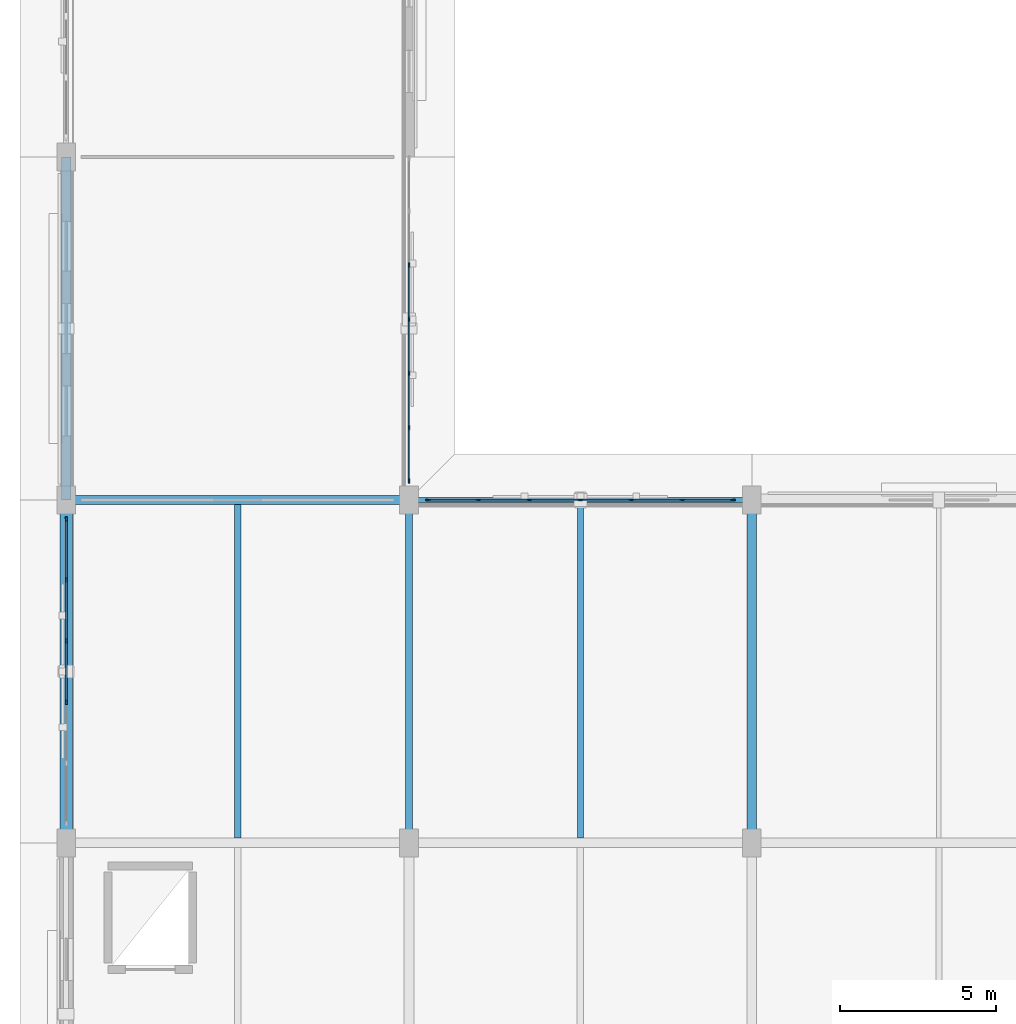
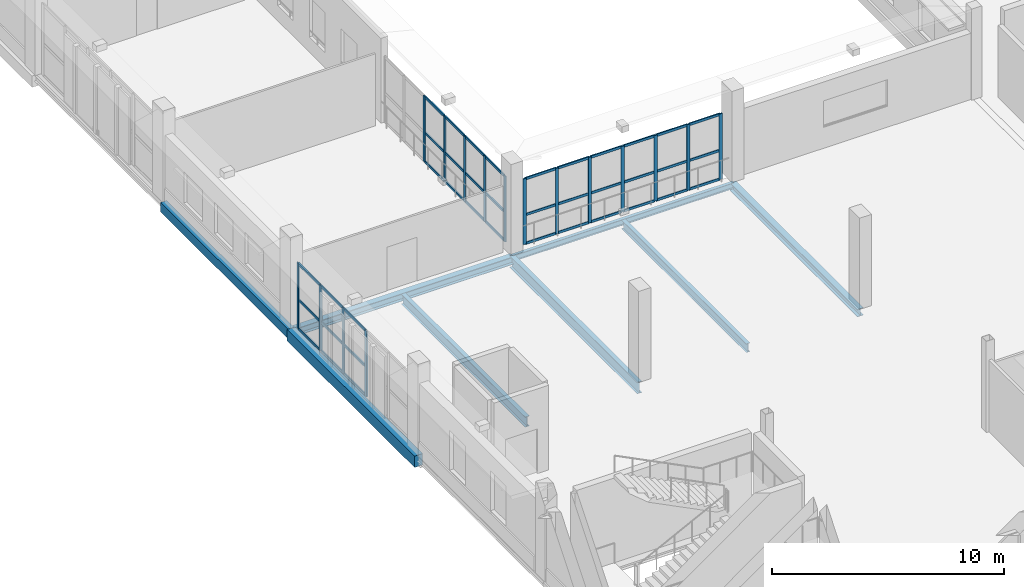
# One storey, part 28 of 143: 55 members, 8 beams, 3 elements without a shape of their own.
"""IFC4 building model written with IfcOpenShell, lengths in metres."""

from ifc_helpers import new_model, si_unit, direction, frame, origin, origin_2d, place, context, subcontext, project, spatial, rectangle, hollow_rectangle, i_section, extrude, material, material_profile, profile_set, type_object, element, aggregate, save


model = new_model("IFC4")

# Units and contexts
model_context = context("Model", 3, precision=1e-05, world=origin(), true_north=direction((0.0, 1.0)))
body_context = subcontext(model_context, "Body", "Model", "MODEL_VIEW")
ifc_project = project(units=[si_unit("LENGTHUNIT", "METRE"), si_unit("AREAUNIT", "SQUARE_METRE"), si_unit("VOLUMEUNIT", "CUBIC_METRE"), si_unit("PLANEANGLEUNIT", "RADIAN"), si_unit("MASSUNIT", "GRAM", prefix="KILO")], contexts=[model_context])

# Site, building, storey
site_placement = place(None, origin())
site = spatial("IfcSite", under=ifc_project, at=site_placement, CompositionType="ELEMENT")
building_placement = place(site_placement, origin())
building = spatial("IfcBuilding", under=site, at=building_placement, Name="Luwafu Chhajja Arena", CompositionType="ELEMENT")
storey_placement = place(building_placement, frame((0.0, 0.0, 5.39990234375)))
storey = spatial("IfcBuildingStorey", under=building, at=storey_placement, Name="L01", CompositionType="ELEMENT", Elevation=5.39990234375)

# Curtain wall, members
ifc_material_1 = material(Name="Anodised bronze aluminium", Category="aluminium")
curtain_wall_type_1 = type_object("IfcCurtainWallType", Name="Bowl Concourse Chord Curtain Wall", PredefinedType="USERDEFINED", material=ifc_material_1)
curtain_wall_1_placement = place(storey_placement, origin())
curtain_wall_1 = element("IfcCurtainWall", 1, at=curtain_wall_1_placement, inside=storey, type_object=curtain_wall_type_1, Name="L01 Curtain Wall CWG-L01-V00_04", ObjectType="CURTAIN WALL", PredefinedType="USERDEFINED")
ifc_material_profile_1 = material_profile(ifc_material_1, rectangle(XDim=0.06005859375, YDim=0.159912109375, at=origin_2d()), Name="CWM 60x160")
ifc_profile_set_1 = profile_set([ifc_material_profile_1], Name="Anodised bronze aluminium")
member_type_1 = type_object("IfcMemberType", Name="Bronze Curtain Wall Mullion 60x160", PredefinedType="MULLION", material=ifc_profile_set_1)
member_1_placement = place(storey_placement, frame((0.0, 48.51806640625, 0.030029296875), z_axis=(0.0, 0.0, 1.0), x_axis=(-1.0, 0.0, 0.0)))
member_1 = element("IfcMember", 2, at=member_1_placement, type_object=member_type_1, Name="CW-01 mullion 3", PredefinedType="MULLION", context=body_context, shape_type="SweptSolid", body=[
    extrude(rectangle(XDim=0.06005859375, YDim=0.159912109375, at=origin_2d()), origin(), (0.0, 0.0, 1.0), 3.4599609375),
])
member_2_placement = place(storey_placement, frame((0.0, 50.48193359375, 0.030029296875), z_axis=(0.0, 0.0, 1.0), x_axis=(-1.0, 0.0, 0.0)))
member_2 = element("IfcMember", 3, at=member_2_placement, type_object=member_type_1, Name="CW-01 mullion 4", PredefinedType="MULLION", context=body_context, shape_type="SweptSolid", body=[
    extrude(rectangle(XDim=0.06005859375, YDim=0.159912109375, at=origin_2d()), origin(), (0.0, 0.0, 1.0), 3.4599609375),
])
member_3_placement = place(storey_placement, frame((0.0, 52.446044921875, 0.030029296875), z_axis=(0.0, 0.0, 1.0), x_axis=(-1.0, 0.0, 0.0)))
member_3 = element("IfcMember", 4, at=member_3_placement, type_object=member_type_1, Name="CW-01 mullion 5", PredefinedType="MULLION", context=body_context, shape_type="SweptSolid", body=[
    extrude(rectangle(XDim=0.06005859375, YDim=0.159912109375, at=origin_2d()), origin(), (0.0, 0.0, 1.0), 3.4599609375),
])
member_4_placement = place(storey_placement, frame((0.0, 54.3798828125, 0.030029296875), z_axis=(0.0, 0.0, 1.0), x_axis=(-1.0, 0.0, 0.0)))
member_4 = element("IfcMember", 5, at=member_4_placement, type_object=member_type_1, Name="CW-01 mullion 6", PredefinedType="MULLION", context=body_context, shape_type="SweptSolid", body=[
    extrude(rectangle(XDim=0.06005859375, YDim=0.159912109375, at=origin_2d()), origin(), (0.0, 0.0, 1.0), 3.4599609375),
])

curtain_wall_type_2 = type_object("IfcCurtainWallType", Name="Charbagh Cloister Curtain Wall", PredefinedType="USERDEFINED", material=ifc_material_1)
curtain_wall_2_placement = place(storey_placement, origin())
curtain_wall_2 = element("IfcCurtainWall", 6, at=curtain_wall_2_placement, inside=storey, type_object=curtain_wall_type_2, Name="L01 Curtain Wall CWG-L01-V01_05", ObjectType="CURTAIN WALL", PredefinedType="USERDEFINED")
member_5_placement = place(storey_placement, frame((11.0, 55.6201171875, 0.030029296875), z_axis=(0.0, 0.0, 1.0), x_axis=(-1.0, 0.0, 0.0)))
member_5 = element("IfcMember", 7, at=member_5_placement, type_object=member_type_1, Name="CW-06 mullion 1", PredefinedType="MULLION", context=body_context, shape_type="SweptSolid", body=[
    extrude(rectangle(XDim=0.06005859375, YDim=0.159912109375, at=origin_2d()), origin(), (0.0, 0.0, 1.0), 3.4599609375),
])
member_6_placement = place(storey_placement, frame((11.0, 57.324951171875, 0.030029296875), z_axis=(0.0, 0.0, 1.0), x_axis=(-1.0, 0.0, 0.0)))
member_6 = element("IfcMember", 8, at=member_6_placement, type_object=member_type_1, Name="CW-06 mullion 2", PredefinedType="MULLION", context=body_context, shape_type="SweptSolid", body=[
    extrude(rectangle(XDim=0.06005859375, YDim=0.159912109375, at=origin_2d()), origin(), (0.0, 0.0, 1.0), 3.4599609375),
])
member_7_placement = place(storey_placement, frame((11.0, 59.06005859375, 0.030029296875), z_axis=(0.0, 0.0, 1.0), x_axis=(-1.0, 0.0, 0.0)))
member_7 = element("IfcMember", 9, at=member_7_placement, type_object=member_type_1, Name="CW-06 mullion 3", PredefinedType="MULLION", context=body_context, shape_type="SweptSolid", body=[
    extrude(rectangle(XDim=0.06005859375, YDim=0.159912109375, at=origin_2d()), origin(), (0.0, 0.0, 1.0), 3.4599609375),
])
member_8_placement = place(storey_placement, frame((11.0, 60.794921875, 0.030029296875), z_axis=(0.0, 0.0, 1.0), x_axis=(-1.0, 0.0, 0.0)))
member_8 = element("IfcMember", 10, at=member_8_placement, type_object=member_type_1, Name="CW-06 mullion 4", PredefinedType="MULLION", context=body_context, shape_type="SweptSolid", body=[
    extrude(rectangle(XDim=0.06005859375, YDim=0.159912109375, at=origin_2d()), origin(), (0.0, 0.0, 1.0), 3.4599609375),
])
member_9_placement = place(storey_placement, frame((11.0, 62.530029296875, 0.030029296875), z_axis=(0.0, 0.0, 1.0), x_axis=(-1.0, 0.0, 0.0)))
member_9 = element("IfcMember", 11, at=member_9_placement, type_object=member_type_1, Name="CW-06 mullion 5", PredefinedType="MULLION", context=body_context, shape_type="SweptSolid", body=[
    extrude(rectangle(XDim=0.06005859375, YDim=0.159912109375, at=origin_2d()), origin(), (0.0, 0.0, 1.0), 3.4599609375),
])

curtain_wall_3_placement = place(storey_placement, origin())
curtain_wall_3 = element("IfcCurtainWall", 12, at=curtain_wall_3_placement, inside=storey, type_object=curtain_wall_type_2, Name="L01 Curtain Wall CWG-L01-H01_05", ObjectType="CURTAIN WALL", PredefinedType="USERDEFINED")
member_10_placement = place(storey_placement, frame((11.6201171875, 55.0, 0.030029296875), z_axis=(0.0, 0.0, 1.0), x_axis=(0.0, 1.0, 0.0)))
member_10 = element("IfcMember", 13, at=member_10_placement, type_object=member_type_1, Name="CW-06 mullion 1", PredefinedType="MULLION", context=body_context, shape_type="SweptSolid", body=[
    extrude(rectangle(XDim=0.06005859375, YDim=0.159912109375, at=origin_2d()), origin(), (0.0, 0.0, 1.0), 3.4599609375),
])
member_11_placement = place(storey_placement, frame((13.2265625, 55.0, 0.030029296875), z_axis=(0.0, 0.0, 1.0), x_axis=(0.0, 1.0, 0.0)))
member_11 = element("IfcMember", 14, at=member_11_placement, type_object=member_type_1, Name="CW-06 mullion 2", PredefinedType="MULLION", context=body_context, shape_type="SweptSolid", body=[
    extrude(rectangle(XDim=0.06005859375, YDim=0.159912109375, at=origin_2d()), origin(), (0.0, 0.0, 1.0), 3.4599609375),
])
member_12_placement = place(storey_placement, frame((14.86328125, 55.0, 0.030029296875), z_axis=(0.0, 0.0, 1.0), x_axis=(0.0, 1.0, 0.0)))
member_12 = element("IfcMember", 15, at=member_12_placement, type_object=member_type_1, Name="CW-06 mullion 3", PredefinedType="MULLION", context=body_context, shape_type="SweptSolid", body=[
    extrude(rectangle(XDim=0.06005859375, YDim=0.159912109375, at=origin_2d()), origin(), (0.0, 0.0, 1.0), 3.4599609375),
])
member_13_placement = place(storey_placement, frame((16.5, 55.0, 0.030029296875), z_axis=(0.0, 0.0, 1.0), x_axis=(0.0, 1.0, 0.0)))
member_13 = element("IfcMember", 16, at=member_13_placement, type_object=member_type_1, Name="CW-06 mullion 4", PredefinedType="MULLION", context=body_context, shape_type="SweptSolid", body=[
    extrude(rectangle(XDim=0.06005859375, YDim=0.159912109375, at=origin_2d()), origin(), (0.0, 0.0, 1.0), 3.4599609375),
])
member_14_placement = place(storey_placement, frame((18.13671875, 55.0, 0.030029296875), z_axis=(0.0, 0.0, 1.0), x_axis=(0.0, 1.0, 0.0)))
member_14 = element("IfcMember", 17, at=member_14_placement, type_object=member_type_1, Name="CW-06 mullion 5", PredefinedType="MULLION", context=body_context, shape_type="SweptSolid", body=[
    extrude(rectangle(XDim=0.06005859375, YDim=0.159912109375, at=origin_2d()), origin(), (0.0, 0.0, 1.0), 3.4599609375),
])
member_15_placement = place(storey_placement, frame((19.7734375, 55.0, 0.030029296875), z_axis=(0.0, 0.0, 1.0), x_axis=(0.0, 1.0, 0.0)))
member_15 = element("IfcMember", 18, at=member_15_placement, type_object=member_type_1, Name="CW-06 mullion 6", PredefinedType="MULLION", context=body_context, shape_type="SweptSolid", body=[
    extrude(rectangle(XDim=0.06005859375, YDim=0.159912109375, at=origin_2d()), origin(), (0.0, 0.0, 1.0), 3.4599609375),
])
member_16_placement = place(storey_placement, frame((21.3798828125, 55.0, 0.030029296875), z_axis=(0.0, 0.0, 1.0), x_axis=(0.0, 1.0, 0.0)))
member_16 = element("IfcMember", 19, at=member_16_placement, type_object=member_type_1, Name="CW-06 mullion 7", PredefinedType="MULLION", context=body_context, shape_type="SweptSolid", body=[
    extrude(rectangle(XDim=0.06005859375, YDim=0.159912109375, at=origin_2d()), origin(), (0.0, 0.0, 1.0), 3.4599609375),
])

# Member
ifc_material_profile_2 = material_profile(ifc_material_1, rectangle(XDim=0.06005859375, YDim=0.1298828125, at=origin_2d()), Name="CWT 60x130")
ifc_profile_set_2 = profile_set([ifc_material_profile_2], Name="Anodised bronze aluminium")
member_type_2 = type_object("IfcMemberType", Name="Bronze Curtain Wall Transom 60x130", PredefinedType="USERDEFINED", material=ifc_profile_set_2)
member_17_placement = place(storey_placement, frame((0.0, 48.548095703125, 0.06005859375), z_axis=(0.0, 1.0, 0.0), x_axis=(-1.0, 0.0, 0.0)))
member_17 = element("IfcMember", 20, at=member_17_placement, type_object=member_type_2, Name="CW-01 transom 3.1", ObjectType="TRANSOM", PredefinedType="USERDEFINED", context=body_context, shape_type="SweptSolid", body=[
    extrude(rectangle(XDim=0.06005859375, YDim=0.1298828125, at=origin_2d()), origin(), (0.0, 0.0, 1.0), 1.90380859375),
])

member_18_placement = place(storey_placement, frame((0.0, 48.548095703125, 1.570556640625), z_axis=(0.0, 1.0, 0.0), x_axis=(-1.0, 0.0, 0.0)))
member_18 = element("IfcMember", 21, at=member_18_placement, type_object=member_type_2, Name="CW-01 transom 3.2", ObjectType="TRANSOM", PredefinedType="USERDEFINED", context=body_context, shape_type="SweptSolid", body=[
    extrude(rectangle(XDim=0.06005859375, YDim=0.1298828125, at=origin_2d()), origin(), (0.0, 0.0, 1.0), 1.90380859375),
])

member_19_placement = place(storey_placement, frame((0.0, 48.548095703125, 3.460205078125), z_axis=(0.0, 1.0, 0.0), x_axis=(-1.0, 0.0, 0.0)))
member_19 = element("IfcMember", 22, at=member_19_placement, type_object=member_type_2, Name="CW-01 transom 3.3", ObjectType="TRANSOM", PredefinedType="USERDEFINED", context=body_context, shape_type="SweptSolid", body=[
    extrude(rectangle(XDim=0.06005859375, YDim=0.1298828125, at=origin_2d()), origin(), (0.0, 0.0, 1.0), 1.90380859375),
])

member_20_placement = place(storey_placement, frame((0.0, 50.511962890625, 0.06005859375), z_axis=(0.0, 1.0, 0.0), x_axis=(-1.0, 0.0, 0.0)))
member_20 = element("IfcMember", 23, at=member_20_placement, type_object=member_type_2, Name="CW-01 transom 4.1", ObjectType="TRANSOM", PredefinedType="USERDEFINED", context=body_context, shape_type="SweptSolid", body=[
    extrude(rectangle(XDim=0.06005859375, YDim=0.1298828125, at=origin_2d()), origin(), (0.0, 0.0, 1.0), 1.904052734375),
])

member_21_placement = place(storey_placement, frame((0.0, 50.511962890625, 1.570556640625), z_axis=(0.0, 1.0, 0.0), x_axis=(-1.0, 0.0, 0.0)))
member_21 = element("IfcMember", 24, at=member_21_placement, type_object=member_type_2, Name="CW-01 transom 4.2", ObjectType="TRANSOM", PredefinedType="USERDEFINED", context=body_context, shape_type="SweptSolid", body=[
    extrude(rectangle(XDim=0.06005859375, YDim=0.1298828125, at=origin_2d()), origin(), (0.0, 0.0, 1.0), 1.904052734375),
])

member_22_placement = place(storey_placement, frame((0.0, 50.511962890625, 3.460205078125), z_axis=(0.0, 1.0, 0.0), x_axis=(-1.0, 0.0, 0.0)))
member_22 = element("IfcMember", 25, at=member_22_placement, type_object=member_type_2, Name="CW-01 transom 4.3", ObjectType="TRANSOM", PredefinedType="USERDEFINED", context=body_context, shape_type="SweptSolid", body=[
    extrude(rectangle(XDim=0.06005859375, YDim=0.1298828125, at=origin_2d()), origin(), (0.0, 0.0, 1.0), 1.904052734375),
])

member_23_placement = place(storey_placement, frame((0.0, 52.47607421875, 0.06005859375), z_axis=(0.0, 1.0, 0.0), x_axis=(-1.0, 0.0, 0.0)))
member_23 = element("IfcMember", 26, at=member_23_placement, type_object=member_type_2, Name="CW-01 transom 5.1", ObjectType="TRANSOM", PredefinedType="USERDEFINED", context=body_context, shape_type="SweptSolid", body=[
    extrude(rectangle(XDim=0.06005859375, YDim=0.1298828125, at=origin_2d()), origin(), (0.0, 0.0, 1.0), 1.8740234375),
])

member_24_placement = place(storey_placement, frame((0.0, 52.47607421875, 1.570556640625), z_axis=(0.0, 1.0, 0.0), x_axis=(-1.0, 0.0, 0.0)))
member_24 = element("IfcMember", 27, at=member_24_placement, type_object=member_type_2, Name="CW-01 transom 5.2", ObjectType="TRANSOM", PredefinedType="USERDEFINED", context=body_context, shape_type="SweptSolid", body=[
    extrude(rectangle(XDim=0.06005859375, YDim=0.1298828125, at=origin_2d()), origin(), (0.0, 0.0, 1.0), 1.8740234375),
])

member_25_placement = place(storey_placement, frame((0.0, 52.47607421875, 3.460205078125), z_axis=(0.0, 1.0, 0.0), x_axis=(-1.0, 0.0, 0.0)))
member_25 = element("IfcMember", 28, at=member_25_placement, type_object=member_type_2, Name="CW-01 transom 5.3", ObjectType="TRANSOM", PredefinedType="USERDEFINED", context=body_context, shape_type="SweptSolid", body=[
    extrude(rectangle(XDim=0.06005859375, YDim=0.1298828125, at=origin_2d()), origin(), (0.0, 0.0, 1.0), 1.8740234375),
])

aggregate(curtain_wall_1, [member_1, member_2, member_3, member_4, member_17, member_18, member_19, member_20, member_21, member_22, member_23, member_24, member_25])

member_26_placement = place(storey_placement, frame((11.0, 55.64990234375, 0.06005859375), z_axis=(0.0, 1.0, 0.0), x_axis=(-1.0, 0.0, 0.0)))
member_26 = element("IfcMember", 29, at=member_26_placement, type_object=member_type_2, Name="CW-06 transom 1.1", ObjectType="TRANSOM", PredefinedType="USERDEFINED", context=body_context, shape_type="SweptSolid", body=[
    extrude(rectangle(XDim=0.06005859375, YDim=0.1298828125, at=origin_2d()), origin(), (0.0, 0.0, 1.0), 1.64501953125),
])

member_27_placement = place(storey_placement, frame((11.0, 55.64990234375, 1.570556640625), z_axis=(0.0, 1.0, 0.0), x_axis=(-1.0, 0.0, 0.0)))
member_27 = element("IfcMember", 30, at=member_27_placement, type_object=member_type_2, Name="CW-06 transom 1.2", ObjectType="TRANSOM", PredefinedType="USERDEFINED", context=body_context, shape_type="SweptSolid", body=[
    extrude(rectangle(XDim=0.06005859375, YDim=0.1298828125, at=origin_2d()), origin(), (0.0, 0.0, 1.0), 1.64501953125),
])

member_28_placement = place(storey_placement, frame((11.0, 55.64990234375, 3.460205078125), z_axis=(0.0, 1.0, 0.0), x_axis=(-1.0, 0.0, 0.0)))
member_28 = element("IfcMember", 31, at=member_28_placement, type_object=member_type_2, Name="CW-06 transom 1.3", ObjectType="TRANSOM", PredefinedType="USERDEFINED", context=body_context, shape_type="SweptSolid", body=[
    extrude(rectangle(XDim=0.06005859375, YDim=0.1298828125, at=origin_2d()), origin(), (0.0, 0.0, 1.0), 1.64501953125),
])

member_29_placement = place(storey_placement, frame((11.0, 57.35498046875, 0.06005859375), z_axis=(0.0, 1.0, 0.0), x_axis=(-1.0, 0.0, 0.0)))
member_29 = element("IfcMember", 32, at=member_29_placement, type_object=member_type_2, Name="CW-06 transom 2.1", ObjectType="TRANSOM", PredefinedType="USERDEFINED", context=body_context, shape_type="SweptSolid", body=[
    extrude(rectangle(XDim=0.06005859375, YDim=0.1298828125, at=origin_2d()), origin(), (0.0, 0.0, 1.0), 1.675048828125),
])

member_30_placement = place(storey_placement, frame((11.0, 57.35498046875, 1.570556640625), z_axis=(0.0, 1.0, 0.0), x_axis=(-1.0, 0.0, 0.0)))
member_30 = element("IfcMember", 33, at=member_30_placement, type_object=member_type_2, Name="CW-06 transom 2.2", ObjectType="TRANSOM", PredefinedType="USERDEFINED", context=body_context, shape_type="SweptSolid", body=[
    extrude(rectangle(XDim=0.06005859375, YDim=0.1298828125, at=origin_2d()), origin(), (0.0, 0.0, 1.0), 1.675048828125),
])

member_31_placement = place(storey_placement, frame((11.0, 57.35498046875, 3.460205078125), z_axis=(0.0, 1.0, 0.0), x_axis=(-1.0, 0.0, 0.0)))
member_31 = element("IfcMember", 34, at=member_31_placement, type_object=member_type_2, Name="CW-06 transom 2.3", ObjectType="TRANSOM", PredefinedType="USERDEFINED", context=body_context, shape_type="SweptSolid", body=[
    extrude(rectangle(XDim=0.06005859375, YDim=0.1298828125, at=origin_2d()), origin(), (0.0, 0.0, 1.0), 1.675048828125),
])

member_32_placement = place(storey_placement, frame((11.0, 59.090087890625, 0.06005859375), z_axis=(0.0, 1.0, 0.0), x_axis=(-1.0, 0.0, 0.0)))
member_32 = element("IfcMember", 35, at=member_32_placement, type_object=member_type_2, Name="CW-06 transom 3.1", ObjectType="TRANSOM", PredefinedType="USERDEFINED", context=body_context, shape_type="SweptSolid", body=[
    extrude(rectangle(XDim=0.06005859375, YDim=0.1298828125, at=origin_2d()), origin(), (0.0, 0.0, 1.0), 1.6748046875),
])

member_33_placement = place(storey_placement, frame((11.0, 59.090087890625, 1.570556640625), z_axis=(0.0, 1.0, 0.0), x_axis=(-1.0, 0.0, 0.0)))
member_33 = element("IfcMember", 36, at=member_33_placement, type_object=member_type_2, Name="CW-06 transom 3.2", ObjectType="TRANSOM", PredefinedType="USERDEFINED", context=body_context, shape_type="SweptSolid", body=[
    extrude(rectangle(XDim=0.06005859375, YDim=0.1298828125, at=origin_2d()), origin(), (0.0, 0.0, 1.0), 1.6748046875),
])

member_34_placement = place(storey_placement, frame((11.0, 59.090087890625, 3.460205078125), z_axis=(0.0, 1.0, 0.0), x_axis=(-1.0, 0.0, 0.0)))
member_34 = element("IfcMember", 37, at=member_34_placement, type_object=member_type_2, Name="CW-06 transom 3.3", ObjectType="TRANSOM", PredefinedType="USERDEFINED", context=body_context, shape_type="SweptSolid", body=[
    extrude(rectangle(XDim=0.06005859375, YDim=0.1298828125, at=origin_2d()), origin(), (0.0, 0.0, 1.0), 1.6748046875),
])

member_35_placement = place(storey_placement, frame((11.0, 60.824951171875, 0.06005859375), z_axis=(0.0, 1.0, 0.0), x_axis=(-1.0, 0.0, 0.0)))
member_35 = element("IfcMember", 38, at=member_35_placement, type_object=member_type_2, Name="CW-06 transom 4.1", ObjectType="TRANSOM", PredefinedType="USERDEFINED", context=body_context, shape_type="SweptSolid", body=[
    extrude(rectangle(XDim=0.06005859375, YDim=0.1298828125, at=origin_2d()), origin(), (0.0, 0.0, 1.0), 1.675048828125),
])

member_36_placement = place(storey_placement, frame((11.0, 60.824951171875, 1.570556640625), z_axis=(0.0, 1.0, 0.0), x_axis=(-1.0, 0.0, 0.0)))
member_36 = element("IfcMember", 39, at=member_36_placement, type_object=member_type_2, Name="CW-06 transom 4.2", ObjectType="TRANSOM", PredefinedType="USERDEFINED", context=body_context, shape_type="SweptSolid", body=[
    extrude(rectangle(XDim=0.06005859375, YDim=0.1298828125, at=origin_2d()), origin(), (0.0, 0.0, 1.0), 1.675048828125),
])

member_37_placement = place(storey_placement, frame((11.0, 60.824951171875, 3.460205078125), z_axis=(0.0, 1.0, 0.0), x_axis=(-1.0, 0.0, 0.0)))
member_37 = element("IfcMember", 40, at=member_37_placement, type_object=member_type_2, Name="CW-06 transom 4.3", ObjectType="TRANSOM", PredefinedType="USERDEFINED", context=body_context, shape_type="SweptSolid", body=[
    extrude(rectangle(XDim=0.06005859375, YDim=0.1298828125, at=origin_2d()), origin(), (0.0, 0.0, 1.0), 1.675048828125),
])

aggregate(curtain_wall_2, [member_5, member_6, member_7, member_8, member_9, member_26, member_27, member_28, member_29, member_30, member_31, member_32, member_33, member_34, member_35, member_36, member_37])

member_38_placement = place(storey_placement, frame((11.64990234375, 55.0, 0.06005859375), z_axis=(1.0, 0.0, 0.0), x_axis=(0.0, 1.0, 0.0)))
member_38 = element("IfcMember", 41, at=member_38_placement, type_object=member_type_2, Name="CW-06 transom 1.1", ObjectType="TRANSOM", PredefinedType="USERDEFINED", context=body_context, shape_type="SweptSolid", body=[
    extrude(rectangle(XDim=0.06005859375, YDim=0.1298828125, at=origin_2d()), origin(), (0.0, 0.0, 1.0), 1.546875),
])

member_39_placement = place(storey_placement, frame((11.64990234375, 55.0, 1.570556640625), z_axis=(1.0, 0.0, 0.0), x_axis=(0.0, 1.0, 0.0)))
member_39 = element("IfcMember", 42, at=member_39_placement, type_object=member_type_2, Name="CW-06 transom 1.2", ObjectType="TRANSOM", PredefinedType="USERDEFINED", context=body_context, shape_type="SweptSolid", body=[
    extrude(rectangle(XDim=0.06005859375, YDim=0.1298828125, at=origin_2d()), origin(), (0.0, 0.0, 1.0), 1.546875),
])

member_40_placement = place(storey_placement, frame((11.64990234375, 55.0, 3.460205078125), z_axis=(1.0, 0.0, 0.0), x_axis=(0.0, 1.0, 0.0)))
member_40 = element("IfcMember", 43, at=member_40_placement, type_object=member_type_2, Name="CW-06 transom 1.3", ObjectType="TRANSOM", PredefinedType="USERDEFINED", context=body_context, shape_type="SweptSolid", body=[
    extrude(rectangle(XDim=0.06005859375, YDim=0.1298828125, at=origin_2d()), origin(), (0.0, 0.0, 1.0), 1.546875),
])

member_41_placement = place(storey_placement, frame((13.256591796875, 55.0, 0.06005859375), z_axis=(1.0, 0.0, 0.0), x_axis=(0.0, 1.0, 0.0)))
member_41 = element("IfcMember", 44, at=member_41_placement, type_object=member_type_2, Name="CW-06 transom 2.1", ObjectType="TRANSOM", PredefinedType="USERDEFINED", context=body_context, shape_type="SweptSolid", body=[
    extrude(rectangle(XDim=0.06005859375, YDim=0.1298828125, at=origin_2d()), origin(), (0.0, 0.0, 1.0), 1.57666015625),
])

member_42_placement = place(storey_placement, frame((13.256591796875, 55.0, 1.570556640625), z_axis=(1.0, 0.0, 0.0), x_axis=(0.0, 1.0, 0.0)))
member_42 = element("IfcMember", 45, at=member_42_placement, type_object=member_type_2, Name="CW-06 transom 2.2", ObjectType="TRANSOM", PredefinedType="USERDEFINED", context=body_context, shape_type="SweptSolid", body=[
    extrude(rectangle(XDim=0.06005859375, YDim=0.1298828125, at=origin_2d()), origin(), (0.0, 0.0, 1.0), 1.57666015625),
])

member_43_placement = place(storey_placement, frame((13.256591796875, 55.0, 3.460205078125), z_axis=(1.0, 0.0, 0.0), x_axis=(0.0, 1.0, 0.0)))
member_43 = element("IfcMember", 46, at=member_43_placement, type_object=member_type_2, Name="CW-06 transom 2.3", ObjectType="TRANSOM", PredefinedType="USERDEFINED", context=body_context, shape_type="SweptSolid", body=[
    extrude(rectangle(XDim=0.06005859375, YDim=0.1298828125, at=origin_2d()), origin(), (0.0, 0.0, 1.0), 1.57666015625),
])

member_44_placement = place(storey_placement, frame((14.893310546875, 55.0, 0.06005859375), z_axis=(1.0, 0.0, 0.0), x_axis=(0.0, 1.0, 0.0)))
member_44 = element("IfcMember", 47, at=member_44_placement, type_object=member_type_2, Name="CW-06 transom 3.1", ObjectType="TRANSOM", PredefinedType="USERDEFINED", context=body_context, shape_type="SweptSolid", body=[
    extrude(rectangle(XDim=0.06005859375, YDim=0.1298828125, at=origin_2d()), origin(), (0.0, 0.0, 1.0), 1.57666015625),
])

member_45_placement = place(storey_placement, frame((14.893310546875, 55.0, 1.570556640625), z_axis=(1.0, 0.0, 0.0), x_axis=(0.0, 1.0, 0.0)))
member_45 = element("IfcMember", 48, at=member_45_placement, type_object=member_type_2, Name="CW-06 transom 3.2", ObjectType="TRANSOM", PredefinedType="USERDEFINED", context=body_context, shape_type="SweptSolid", body=[
    extrude(rectangle(XDim=0.06005859375, YDim=0.1298828125, at=origin_2d()), origin(), (0.0, 0.0, 1.0), 1.57666015625),
])

member_46_placement = place(storey_placement, frame((14.893310546875, 55.0, 3.460205078125), z_axis=(1.0, 0.0, 0.0), x_axis=(0.0, 1.0, 0.0)))
member_46 = element("IfcMember", 49, at=member_46_placement, type_object=member_type_2, Name="CW-06 transom 3.3", ObjectType="TRANSOM", PredefinedType="USERDEFINED", context=body_context, shape_type="SweptSolid", body=[
    extrude(rectangle(XDim=0.06005859375, YDim=0.1298828125, at=origin_2d()), origin(), (0.0, 0.0, 1.0), 1.57666015625),
])

member_47_placement = place(storey_placement, frame((16.530029296875, 55.0, 0.06005859375), z_axis=(1.0, 0.0, 0.0), x_axis=(0.0, 1.0, 0.0)))
member_47 = element("IfcMember", 50, at=member_47_placement, type_object=member_type_2, Name="CW-06 transom 4.1", ObjectType="TRANSOM", PredefinedType="USERDEFINED", context=body_context, shape_type="SweptSolid", body=[
    extrude(rectangle(XDim=0.06005859375, YDim=0.1298828125, at=origin_2d()), origin(), (0.0, 0.0, 1.0), 1.57666015625),
])

member_48_placement = place(storey_placement, frame((16.530029296875, 55.0, 1.570556640625), z_axis=(1.0, 0.0, 0.0), x_axis=(0.0, 1.0, 0.0)))
member_48 = element("IfcMember", 51, at=member_48_placement, type_object=member_type_2, Name="CW-06 transom 4.2", ObjectType="TRANSOM", PredefinedType="USERDEFINED", context=body_context, shape_type="SweptSolid", body=[
    extrude(rectangle(XDim=0.06005859375, YDim=0.1298828125, at=origin_2d()), origin(), (0.0, 0.0, 1.0), 1.57666015625),
])

member_49_placement = place(storey_placement, frame((16.530029296875, 55.0, 3.460205078125), z_axis=(1.0, 0.0, 0.0), x_axis=(0.0, 1.0, 0.0)))
member_49 = element("IfcMember", 52, at=member_49_placement, type_object=member_type_2, Name="CW-06 transom 4.3", ObjectType="TRANSOM", PredefinedType="USERDEFINED", context=body_context, shape_type="SweptSolid", body=[
    extrude(rectangle(XDim=0.06005859375, YDim=0.1298828125, at=origin_2d()), origin(), (0.0, 0.0, 1.0), 1.57666015625),
])

member_50_placement = place(storey_placement, frame((18.166748046875, 55.0, 0.06005859375), z_axis=(1.0, 0.0, 0.0), x_axis=(0.0, 1.0, 0.0)))
member_50 = element("IfcMember", 53, at=member_50_placement, type_object=member_type_2, Name="CW-06 transom 5.1", ObjectType="TRANSOM", PredefinedType="USERDEFINED", context=body_context, shape_type="SweptSolid", body=[
    extrude(rectangle(XDim=0.06005859375, YDim=0.1298828125, at=origin_2d()), origin(), (0.0, 0.0, 1.0), 1.57666015625),
])

member_51_placement = place(storey_placement, frame((18.166748046875, 55.0, 1.570556640625), z_axis=(1.0, 0.0, 0.0), x_axis=(0.0, 1.0, 0.0)))
member_51 = element("IfcMember", 54, at=member_51_placement, type_object=member_type_2, Name="CW-06 transom 5.2", ObjectType="TRANSOM", PredefinedType="USERDEFINED", context=body_context, shape_type="SweptSolid", body=[
    extrude(rectangle(XDim=0.06005859375, YDim=0.1298828125, at=origin_2d()), origin(), (0.0, 0.0, 1.0), 1.57666015625),
])

member_52_placement = place(storey_placement, frame((18.166748046875, 55.0, 3.460205078125), z_axis=(1.0, 0.0, 0.0), x_axis=(0.0, 1.0, 0.0)))
member_52 = element("IfcMember", 55, at=member_52_placement, type_object=member_type_2, Name="CW-06 transom 5.3", ObjectType="TRANSOM", PredefinedType="USERDEFINED", context=body_context, shape_type="SweptSolid", body=[
    extrude(rectangle(XDim=0.06005859375, YDim=0.1298828125, at=origin_2d()), origin(), (0.0, 0.0, 1.0), 1.57666015625),
])

member_53_placement = place(storey_placement, frame((19.80322265625, 55.0, 0.06005859375), z_axis=(1.0, 0.0, 0.0), x_axis=(0.0, 1.0, 0.0)))
member_53 = element("IfcMember", 56, at=member_53_placement, type_object=member_type_2, Name="CW-06 transom 6.1", ObjectType="TRANSOM", PredefinedType="USERDEFINED", context=body_context, shape_type="SweptSolid", body=[
    extrude(rectangle(XDim=0.06005859375, YDim=0.1298828125, at=origin_2d()), origin(), (0.0, 0.0, 1.0), 1.546875),
])

member_54_placement = place(storey_placement, frame((19.80322265625, 55.0, 1.570556640625), z_axis=(1.0, 0.0, 0.0), x_axis=(0.0, 1.0, 0.0)))
member_54 = element("IfcMember", 57, at=member_54_placement, type_object=member_type_2, Name="CW-06 transom 6.2", ObjectType="TRANSOM", PredefinedType="USERDEFINED", context=body_context, shape_type="SweptSolid", body=[
    extrude(rectangle(XDim=0.06005859375, YDim=0.1298828125, at=origin_2d()), origin(), (0.0, 0.0, 1.0), 1.546875),
])

member_55_placement = place(storey_placement, frame((19.80322265625, 55.0, 3.460205078125), z_axis=(1.0, 0.0, 0.0), x_axis=(0.0, 1.0, 0.0)))
member_55 = element("IfcMember", 58, at=member_55_placement, type_object=member_type_2, Name="CW-06 transom 6.3", ObjectType="TRANSOM", PredefinedType="USERDEFINED", context=body_context, shape_type="SweptSolid", body=[
    extrude(rectangle(XDim=0.06005859375, YDim=0.1298828125, at=origin_2d()), origin(), (0.0, 0.0, 1.0), 1.546875),
])

aggregate(curtain_wall_3, [member_10, member_11, member_12, member_13, member_14, member_15, member_16, member_38, member_39, member_40, member_41, member_42, member_43, member_44, member_45, member_46, member_47, member_48, member_49, member_50, member_51, member_52, member_53, member_54, member_55])

# Beams
ifc_material_2 = material(Name="Steel S355", Category="steel")
ifc_material_profile_3 = material_profile(ifc_material_2, i_section(OverallWidth=0.165771484375, OverallDepth=0.306640625, WebThickness=0.006591796875, FlangeThickness=0.01171875, at=origin_2d()), Name="UB 305x165x46")
ifc_profile_set_3 = profile_set([ifc_material_profile_3], Name="Steel S355")
beam_type_1 = type_object("IfcBeamType", Name="Concourse Edge Spandrel Beam UB 305x165x46", PredefinedType="SPANDREL", material=ifc_profile_set_3)
beam_1_placement = place(storey_placement, frame((11.0, 55.0, -0.483154296875), z_axis=(1.0, 0.0, 0.0), x_axis=(0.0, 1.0, 0.0)))
element("IfcBeam", 59, at=beam_1_placement, inside=storey, type_object=beam_type_1, Name="L01 Grid Beam 2-3/F", PredefinedType="SPANDREL", context=body_context, shape_type="SweptSolid", body=[
    extrude(i_section(OverallWidth=0.165771484375, OverallDepth=0.306640625, WebThickness=0.006591796875, FlangeThickness=0.01171875, at=origin_2d()), origin(), (0.0, 0.0, 1.0), 11.0),
])
ifc_material_profile_4 = material_profile(ifc_material_2, i_section(OverallWidth=0.19140625, OverallDepth=0.4599609375, WebThickness=0.010009765625, FlangeThickness=0.01611328125, at=origin_2d()), Name="UB 457x191x82")
ifc_profile_set_4 = profile_set([ifc_material_profile_4], Name="Steel S355")
beam_type_2 = type_object("IfcBeamType", Name="Floor Joist UB 457x191x82", PredefinedType="JOIST", material=ifc_profile_set_4)
beam_2_placement = place(storey_placement, frame((16.5, 44.14990234375, -0.559814453125), z_axis=(0.0, 1.0, 0.0), x_axis=(-1.0, 0.0, 0.0)))
element("IfcBeam", 60, at=beam_2_placement, inside=storey, type_object=beam_type_2, Name="L01 Secondary Joist 2-3/E", PredefinedType="JOIST", context=body_context, shape_type="SweptSolid", body=[
    extrude(i_section(OverallWidth=0.19140625, OverallDepth=0.4599609375, WebThickness=0.010009765625, FlangeThickness=0.01611328125, at=origin_2d()), origin(), (0.0, 0.0, 1.0), 10.76708984375),
])
ifc_material_profile_5 = material_profile(ifc_material_2, i_section(OverallWidth=0.209228515625, OverallDepth=0.533203125, WebThickness=0.010009765625, FlangeThickness=0.015625, at=origin_2d()), Name="UB 533x210x92")
ifc_profile_set_5 = profile_set([ifc_material_profile_5], Name="Steel S355")
beam_type_3 = type_object("IfcBeamType", Name="Floor Joist UB 533x210x92", PredefinedType="JOIST", material=ifc_profile_set_5)
beam_3_placement = place(storey_placement, frame((5.5, 44.14990234375, -0.596435546875), z_axis=(0.0, 1.0, 0.0), x_axis=(-1.0, 0.0, 0.0)))
element("IfcBeam", 61, at=beam_3_placement, inside=storey, type_object=beam_type_3, Name="L01 Secondary Joist 1-2/E", PredefinedType="JOIST", context=body_context, shape_type="SweptSolid", body=[
    extrude(i_section(OverallWidth=0.209228515625, OverallDepth=0.533203125, WebThickness=0.010009765625, FlangeThickness=0.015625, at=origin_2d()), origin(), (0.0, 0.0, 1.0), 10.7001953125),
])
ifc_material_profile_6 = material_profile(ifc_material_2, hollow_rectangle(XDim=0.300048828125, YDim=0.5, WallThickness=0.02001953125, at=origin_2d()), Name="RHS 500x300x20")
ifc_profile_set_6 = profile_set([ifc_material_profile_6], Name="Steel S355")
beam_type_4 = type_object("IfcBeamType", Name="Pleated Drum Spandrel Beam RHS 500x300", PredefinedType="SPANDREL", material=ifc_profile_set_6)
beam_4_placement = place(storey_placement, frame((0.0, 55.0, -0.579833984375), z_axis=(0.0, 1.0, 0.0), x_axis=(-1.0, 0.0, 0.0)))
element("IfcBeam", 62, at=beam_4_placement, inside=storey, type_object=beam_type_4, Name="L01 Grid Beam 1/F-G", PredefinedType="SPANDREL", context=body_context, shape_type="SweptSolid", body=[
    extrude(hollow_rectangle(XDim=0.300048828125, YDim=0.5, WallThickness=0.02001953125, at=origin_2d()), origin(), (0.0, 0.0, 1.0), 11.0),
])
ifc_material_3 = material(Name="Concrete C35/45", Category="concrete")
ifc_material_profile_7 = material_profile(ifc_material_3, rectangle(XDim=0.39990234375, YDim=0.60009765625, at=origin_2d()), Name="RC 400x600")
ifc_profile_set_7 = profile_set([ifc_material_profile_7], Name="Concrete C35/45")
beam_type_5 = type_object("IfcBeamType", Name="Podium Perimeter Spandrel RC 400x600", PredefinedType="SPANDREL", material=ifc_profile_set_7)
beam_5_placement = place(storey_placement, frame((0.0, 44.0, -0.6298828125), z_axis=(0.0, 1.0, 0.0), x_axis=(-1.0, 0.0, 0.0)))
element("IfcBeam", 63, at=beam_5_placement, inside=storey, type_object=beam_type_5, Name="L01 Grid Beam 1/E-F", PredefinedType="SPANDREL", context=body_context, shape_type="SweptSolid", body=[
    extrude(rectangle(XDim=0.39990234375, YDim=0.60009765625, at=origin_2d()), origin(), (0.0, 0.0, 1.0), 11.0),
])
ifc_material_profile_8 = material_profile(ifc_material_2, i_section(OverallWidth=0.22900390625, OverallDepth=0.6123046875, WebThickness=0.011962890625, FlangeThickness=0.01953125, at=origin_2d()), Name="UB 610x229x125")
ifc_profile_set_8 = profile_set([ifc_material_profile_8], Name="Steel S355")
beam_type_6 = type_object("IfcBeamType", Name="Steel Mezzanine Girder UB 610x229x125", PredefinedType="BEAM", material=ifc_profile_set_8)
beam_6_placement = place(storey_placement, frame((11.0, 44.0, -0.635986328125), z_axis=(0.0, 1.0, 0.0), x_axis=(-1.0, 0.0, 0.0)))
element("IfcBeam", 64, at=beam_6_placement, inside=storey, type_object=beam_type_6, Name="L01 Grid Beam 2/E-F", PredefinedType="BEAM", context=body_context, shape_type="SweptSolid", body=[
    extrude(i_section(OverallWidth=0.22900390625, OverallDepth=0.6123046875, WebThickness=0.011962890625, FlangeThickness=0.01953125, at=origin_2d()), origin(), (0.0, 0.0, 1.0), 11.0),
])
ifc_material_profile_9 = material_profile(ifc_material_2, i_section(OverallWidth=0.300048828125, OverallDepth=0.39990234375, WebThickness=0.013427734375, FlangeThickness=0.02392578125, at=origin_2d()), Name="HEB 400")
ifc_profile_set_9 = profile_set([ifc_material_profile_9], Name="Steel S355")
beam_type_7 = type_object("IfcBeamType", Name="Steel Rigging Grid Beam HEB 400", PredefinedType="BEAM", material=ifc_profile_set_9)
for number, where, z_axis, x_axis, name in (
    (65, (0.0, 55.0, -0.52978515625), (1.0, 0.0, 0.0), (0.0, 1.0, 0.0), "L01 Grid Beam 1-2/F"),
    (66, (22.0, 44.0, -0.52978515625), (0.0, 1.0, 0.0), (-1.0, 0.0, 0.0), "L01 Grid Beam 3/E-F"),
):
    element("IfcBeam", number, at=place(storey_placement, frame(where, z_axis=z_axis, x_axis=x_axis)), inside=storey, type_object=beam_type_7, Name=name, PredefinedType="BEAM", context=body_context, shape_type="SweptSolid", body=[
        extrude(i_section(OverallWidth=0.300048828125, OverallDepth=0.39990234375, WebThickness=0.013427734375, FlangeThickness=0.02392578125, at=origin_2d()), origin(), (0.0, 0.0, 1.0), 11.0),
    ])

save(model, "model.ifc")
